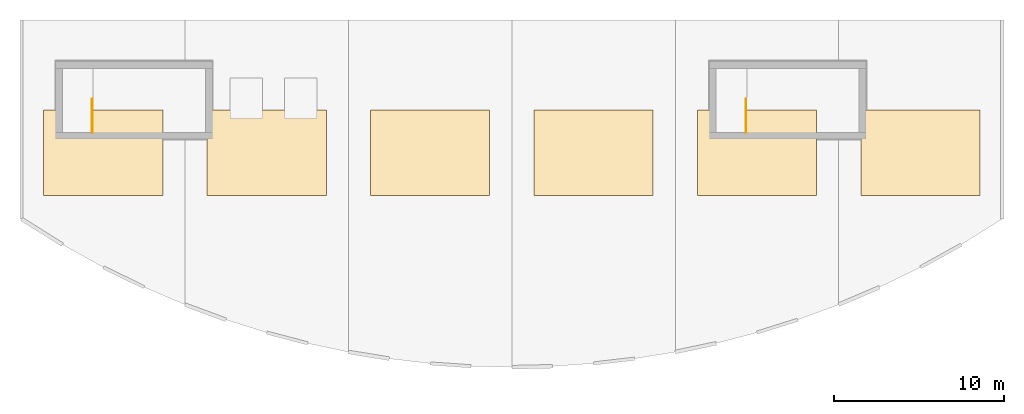
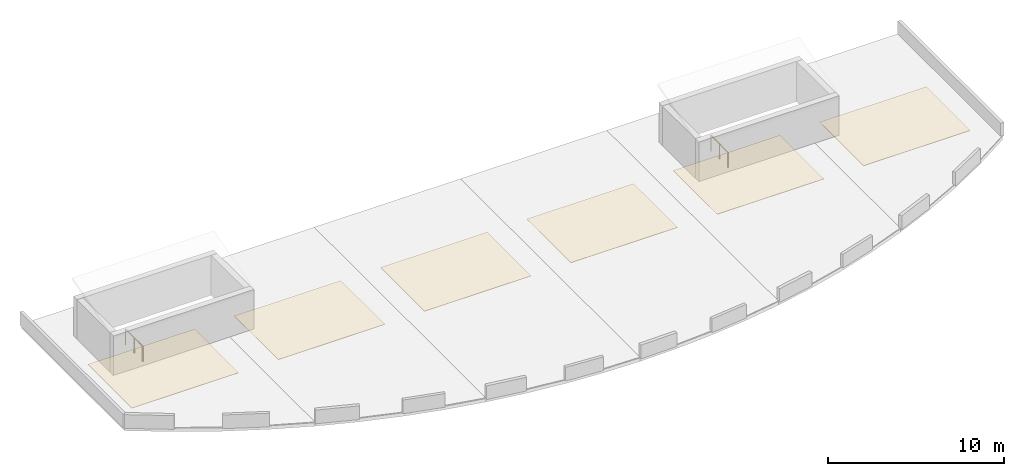
# One storey, part 2 of 2: 6 coverings, 2 railings.
"""IFC4 building model written with IfcOpenShell, lengths in metres."""

from ifc_helpers import new_model, si_unit, direction, frame, origin, origin_2d, place, context, subcontext, project, spatial, rectangle, circle, extrude, material, layer, layer_set, type_object, element, save


model = new_model("IFC4")

# Units and contexts
model_context = context("Model", 3, precision=1e-05, world=origin(), true_north=direction((0.0, 1.0)))
body_context = subcontext(model_context, "Body", "Model", "MODEL_VIEW")
ifc_project = project(units=[si_unit("LENGTHUNIT", "METRE"), si_unit("AREAUNIT", "SQUARE_METRE"), si_unit("VOLUMEUNIT", "CUBIC_METRE"), si_unit("PLANEANGLEUNIT", "RADIAN"), si_unit("MASSUNIT", "GRAM", prefix="KILO")], contexts=[model_context])

# Site, building, storey
site_placement = place(None, origin())
site = spatial("IfcSite", under=ifc_project, at=site_placement, CompositionType="ELEMENT")
building_placement = place(site_placement, origin())
building = spatial("IfcBuilding", under=site, at=building_placement, Name="Brisavento Harbour Community Centre", CompositionType="ELEMENT")
storey_placement = place(building_placement, frame((0.0, 0.0, 24.60009765625)))
storey = spatial("IfcBuildingStorey", under=building, at=storey_placement, Name="RF", CompositionType="ELEMENT", Elevation=24.60009765625)

# Coverings
ifc_material_1 = material(Name="High-albedo EPDM roofing membrane", Category="other")
ifc_layer = layer(ifc_material_1, 0.030029296875, Name="High-albedo EPDM roofing membrane")
ifc_layer_set = layer_set([ifc_layer], Name="High-albedo EPDM roofing membrane")
covering_type = type_object("IfcCoveringType", Name="COV-ROOF-MEM", PredefinedType="ROOFING", material=ifc_layer_set)
for number, where, z_axis, x_axis, name in (
    (1, (120.0, 15.0, 0.0), (0.0, 0.0, 1.0), (1.0, 0.0, 0.0), "RF high-albedo roofing membrane 01"),
    (2, (129.60009765625, 15.0, 0.0), (0.0, 0.0, 1.0), (1.0, 0.0, 0.0), "RF high-albedo roofing membrane 02"),
    (3, (139.199951171875, 15.0, 0.0), (0.0, 0.0, 1.0), (1.0, 0.0, 0.0), "RF high-albedo roofing membrane 03"),
    (4, (148.800048828125, 15.0, 0.0), (0.0, 0.0, 1.0), (1.0, 0.0, 0.0), "RF high-albedo roofing membrane 04"),
    (5, (158.39990234375, 15.0, 0.0), (0.0, 0.0, 1.0), (1.0, 0.0, 0.0), "RF high-albedo roofing membrane 05"),
    (6, (168.0, 15.0, 0.0), (0.0, 0.0, 1.0), (1.0, 0.0, 0.0), "RF high-albedo roofing membrane 06"),
):
    element("IfcCovering", number, at=place(storey_placement, frame(where, z_axis=z_axis, x_axis=x_axis)), inside=storey, type_object=covering_type, Name=name, PredefinedType="ROOFING", context=body_context, shape_type="SweptSolid", body=[
        extrude(rectangle(XDim=7.0, YDim=5.0, at=origin_2d()), origin(), (0.0, 0.0, 1.0), 0.030029296875),
    ])

# Railings
ifc_material_2 = material(Name="Stainless steel 1.4401", Category="steel")
railing_type = type_object("IfcRailingType", Name="RL-ST-GUARD", PredefinedType="GUARDRAIL", material=ifc_material_2)
for number, where, name in (
    (7, (119.35009765625, 16.199951171875, 0.0), "RF ST-04 top well guard 1"),
    (8, (157.75, 16.199951171875, 0.0), "RF ST-05 top well guard 1"),
):
    element("IfcRailing", number, at=place(storey_placement, frame(where)), inside=storey, type_object=railing_type, Name=name, PredefinedType="GUARDRAIL", context=body_context, shape_type="SweptSolid", body=[
        extrude(circle(Radius=0.02392578125, at=origin_2d()), frame((0.0, 0.0, 1.076171875), z_axis=(0.0, 1.0, 0.0), x_axis=(-1.0, 0.0, 0.0)), (0.0, 0.0, 1.0), 1.949951171875),
        extrude(circle(Radius=0.02099609375, at=origin_2d()), origin(), (0.0, 0.0, 1.0), 1.052001953125),
        extrude(circle(Radius=0.02099609375, at=origin_2d()), frame((0.0, 0.97509765625, 0.0)), (0.0, 0.0, 1.0), 1.052001953125),
        extrude(circle(Radius=0.02099609375, at=origin_2d()), frame((0.0, 1.949951171875, 0.0)), (0.0, 0.0, 1.0), 1.052001953125),
    ])

save(model, "model.ifc")
